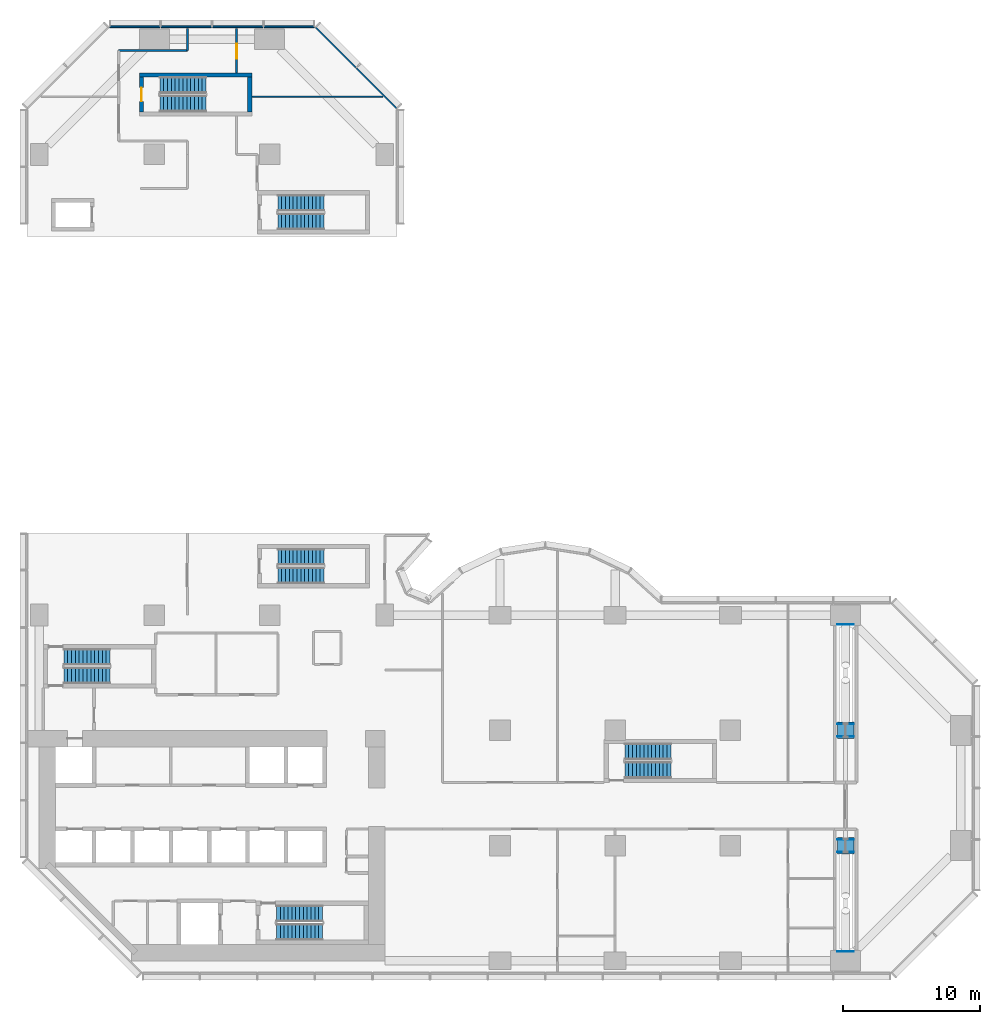
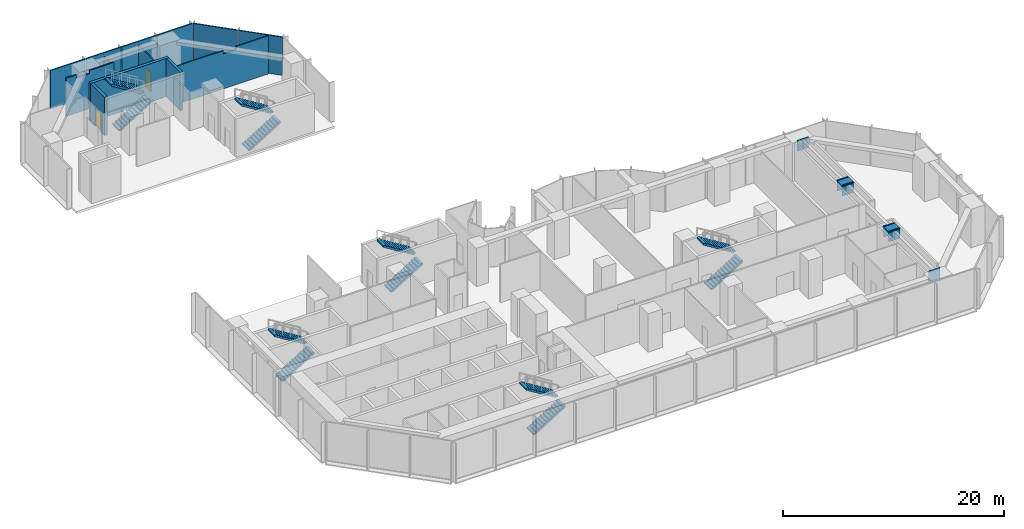
# One storey, part 15 of 18: 13 walls, 12 stair flights, 8 discrete accessories, 2 doors, 2 openings, 6 elements without a shape of their own.
"""IFC4 building model written with IfcOpenShell, lengths in metres."""

from ifc_helpers import new_model, si_unit, direction, frame, frame_2d, origin, origin_2d, place, context, subcontext, project, spatial, polyline, rectangle, outline, extrude, material, layer, layer_set, type_object, element, fill, aggregate, save


model = new_model("IFC4")

# Units and contexts
model_context = context("Model", 3, precision=1e-05, world=origin(), true_north=direction((0.0, 1.0)))
body_context = subcontext(model_context, "Body", "Model", "MODEL_VIEW")
ifc_project = project(units=[si_unit("LENGTHUNIT", "METRE"), si_unit("AREAUNIT", "SQUARE_METRE"), si_unit("VOLUMEUNIT", "CUBIC_METRE"), si_unit("PLANEANGLEUNIT", "RADIAN"), si_unit("MASSUNIT", "GRAM", prefix="KILO")], contexts=[model_context])

# Site, building, storey
site_placement = place(None, origin())
site = spatial("IfcSite", under=ifc_project, at=site_placement, CompositionType="ELEMENT")
building_placement = place(site_placement, origin())
building = spatial("IfcBuilding", under=site, at=building_placement, Name="Brevane Broadcast Tower", CompositionType="ELEMENT")
storey_placement = place(building_placement, frame((0.0, 0.0, 27.5)))
storey = spatial("IfcBuildingStorey", under=building, at=storey_placement, Name="L04", CompositionType="ELEMENT", Elevation=27.5)

# Wall
ifc_material_1 = material(Name="Concrete C80/95", Category="concrete")
ifc_layer_1 = layer(ifc_material_1, 0.300048828125)
ifc_layer_set_1 = layer_set([ifc_layer_1], Name="Core wall 300 mm C80/95")
wall_type_1 = type_object("IfcWallType", Name="Core wall 300 mm C80/95", PredefinedType="SHEAR", material=ifc_layer_set_1)
wall_1_placement = place(storey_placement, frame((7.300048828125, 64.60009765625, 0.0), z_axis=(0.0, 0.0, 1.0), x_axis=(1.0, 0.0, 0.0)))
element("IfcWall", 1, at=wall_1_placement, inside=storey, type_object=wall_type_1, Name="L04 stair wall ST-6-N", PredefinedType="SHEAR", context=body_context, shape_type="SweptSolid", body=[
    extrude(rectangle(XDim=8.199951171875, YDim=0.300048828125, at=frame_2d((4.10009765625, 0.0))), origin(), (0.0, 0.0, 1.0), 4.25),
])

# Wall, opening, door
wall_2_placement = place(storey_placement, frame((7.449951171875, 61.89990234375, 0.0), z_axis=(0.0, 0.0, 1.0), x_axis=(0.0, 1.0, 0.0)))
wall_2 = element("IfcWall", 2, at=wall_2_placement, inside=storey, type_object=wall_type_1, Name="L04 stair wall ST-6-W", PredefinedType="SHEAR", context=body_context, shape_type="SweptSolid", body=[
    extrude(rectangle(XDim=2.550048828125, YDim=0.300048828125, at=frame_2d((1.27490234375, 0.0))), origin(), (0.0, 0.0, 1.0), 4.25),
])
opening_1_placement = place(wall_2_placement, frame((0.77490234375, 0.0, 0.0)))
opening_1 = element("IfcOpeningElement", 3, at=opening_1_placement, cuts=wall_2, Name="Opening L04-K18", PredefinedType="OPENING", context=body_context, shape_type="SweptSolid", body=[
    extrude(rectangle(XDim=1.0, YDim=2.10009765625, at=frame_2d((0.5, 1.050048828125))), frame((0.0, 0.159912109375, 0.0), z_axis=(0.0, -1.0, 0.0), x_axis=(1.0, 0.0, 0.0)), (0.0, 0.0, 1.0), 0.320068359375),
])
ifc_material_2 = material(Name="Steel", Category="steel")
door_type_1 = type_object("IfcDoorType", Name="Stair door 1000 x 2100", OperationType="SINGLE_SWING_LEFT", PredefinedType="DOOR", material=ifc_material_2)
door_1_placement = place(opening_1_placement, origin())
door_1 = element("IfcDoor", 4, at=door_1_placement, inside=storey, type_object=door_type_1, Name="Door L04-K18", OperationType="SINGLE_SWING_RIGHT", OverallHeight=2.10009765625, OverallWidth=1.0, PredefinedType="DOOR", context=body_context, shape_type="SweptSolid", body=[
    extrude(rectangle(XDim=1.0, YDim=2.10009765625, at=frame_2d((0.5, 1.050048828125))), frame((0.0, 0.02490234375, 0.0), z_axis=(0.0, -1.0, 0.0), x_axis=(1.0, 0.0, 0.0)), (0.0, 0.0, 1.0), 0.050048828125),
])
fill(opening_1, door_1)

# Walls
wall_3_placement = place(storey_placement, frame((15.35009765625, 61.89990234375, 0.0), z_axis=(0.0, 0.0, 1.0), x_axis=(0.0, 1.0, 0.0)))
element("IfcWall", 5, at=wall_3_placement, inside=storey, type_object=wall_type_1, Name="L04 stair wall ST-6-E", PredefinedType="SHEAR", context=body_context, shape_type="SweptSolid", body=[
    extrude(rectangle(XDim=2.550048828125, YDim=0.300048828125, at=frame_2d((1.27490234375, 0.0))), origin(), (0.0, 0.0, 1.0), 4.25),
])
ifc_material_3 = material(Name="Gypsum board partition")
ifc_layer_2 = layer(ifc_material_3, 0.10009765625)
ifc_layer_set_2 = layer_set([ifc_layer_2], Name="PARTITION 100 STUD")
wall_type_2 = type_object("IfcWallType", Name="PARTITION 100 STUD", PredefinedType="PARTITIONING", material=ifc_layer_set_2)
wall_4_placement = place(storey_placement, frame((15.5, 63.0, 0.0), z_axis=(0.0, 0.0, 1.0), x_axis=(1.0, 0.0, 0.0)))
element("IfcWall", 6, at=wall_4_placement, inside=storey, type_object=wall_type_2, Name="Partition P4-053", PredefinedType="PARTITIONING", context=body_context, shape_type="SweptSolid", body=[
    extrude(outline(polyline([(0.0, 0.0), (9.5556640625, 0.0), (9.5556640625, 4.22998046875), (6.165771484375, 4.22998046875), (6.16357421875, 3.8798828125), (4.83642578125, 3.8798828125), (4.834228515625, 4.22998046875), (0.0, 4.22998046875), (0.0, 0.0)])), frame((0.0, 0.050048828125, 0.0), z_axis=(0.0, -1.0, 0.0), x_axis=(1.0, 0.0, 0.0)), (0.0, 0.0, 1.0), 0.10009765625),
])
ifc_layer_3 = layer(ifc_material_3, 0.14990234375)
ifc_layer_set_3 = layer_set([ifc_layer_3], Name="PARTITION 150 EI 60")
wall_type_3 = type_object("IfcWallType", Name="PARTITION 150 EI 60", PredefinedType="PARTITIONING", material=ifc_layer_set_3)
wall_5_placement = place(storey_placement, frame((5.800048828125, 66.375, 0.0), z_axis=(0.0, 0.0, 1.0), x_axis=(1.0, 0.0, 0.0)))
element("IfcWall", 7, at=wall_5_placement, inside=storey, type_object=wall_type_3, Name="Partition P4-047", PredefinedType="PARTITIONING", context=body_context, shape_type="SweptSolid", body=[
    extrude(outline(polyline([(0.0, 0.0), (5.0, 0.0), (5.0, 4.22998046875), (2.465576171875, 4.22998046875), (2.463623046875, 3.8798828125), (1.08642578125, 3.8798828125), (1.084228515625, 4.22998046875), (0.0, 4.22998046875), (0.0, 0.0)])), frame((0.0, 0.074951171875, 0.0), z_axis=(0.0, -1.0, 0.0), x_axis=(1.0, 0.0, 0.0)), (0.0, 0.0, 1.0), 0.14990234375),
])
wall_6_placement = place(storey_placement, frame((10.800048828125, 66.375, 0.0), z_axis=(0.0, 0.0, 1.0), x_axis=(0.0, 1.0, 0.0)))
element("IfcWall", 8, at=wall_6_placement, inside=storey, type_object=wall_type_3, Name="Partition P4-049", PredefinedType="PARTITIONING", context=body_context, shape_type="SweptSolid", body=[
    extrude(rectangle(XDim=1.597900390625, YDim=0.14990234375, at=frame_2d((0.798828125, 0.0))), origin(), (0.0, 0.0, 1.0), 3.8798828125),
])

# Wall, opening, door
wall_7_placement = place(storey_placement, frame((14.39990234375, 67.972900390625, 0.0), z_axis=(0.0, 0.0, 1.0), x_axis=(0.0, -1.0, 0.0)))
wall_7 = element("IfcWall", 9, at=wall_7_placement, inside=storey, type_object=wall_type_3, Name="Partition P4-050", PredefinedType="PARTITIONING", context=body_context, shape_type="SweptSolid", body=[
    extrude(rectangle(XDim=3.222900390625, YDim=0.14990234375, at=frame_2d((1.611328125, 0.0))), origin(), (0.0, 0.0, 1.0), 3.8798828125),
])
opening_2_placement = place(wall_7_placement, frame((1.093017578125, 0.0, 0.0)))
opening_2 = element("IfcOpeningElement", 10, at=opening_2_placement, cuts=wall_7, Name="Opening D05-017", PredefinedType="OPENING", context=body_context, shape_type="SweptSolid", body=[
    extrude(rectangle(XDim=1.10009765625, YDim=2.10009765625, at=frame_2d((0.550048828125, 1.050048828125))), frame((0.0, 0.0849609375, 0.0), z_axis=(0.0, -1.0, 0.0), x_axis=(1.0, 0.0, 0.0)), (0.0, 0.0, 1.0), 0.169921875),
])
ifc_material_4 = material(Name="Fire-rated timber door leaf", Category="wood")
door_type_2 = type_object("IfcDoorType", Name="DOOR SINGLE 1100 FD30S", OperationType="SINGLE_SWING_LEFT", PredefinedType="DOOR", material=ifc_material_4)
door_2_placement = place(opening_2_placement, origin())
door_2 = element("IfcDoor", 11, at=door_2_placement, inside=storey, type_object=door_type_2, Name="Door D05-017", OperationType="SINGLE_SWING_LEFT", OverallHeight=2.10009765625, OverallWidth=1.10009765625, PredefinedType="DOOR", context=body_context, shape_type="SweptSolid", body=[
    extrude(rectangle(XDim=1.10009765625, YDim=2.10009765625, at=frame_2d((0.550048828125, 1.050048828125))), frame((0.0, 0.02490234375, 0.0), z_axis=(0.0, -1.0, 0.0), x_axis=(1.0, 0.0, 0.0)), (0.0, 0.0, 1.0), 0.050048828125),
])
fill(opening_2, door_2)

# Walls
ifc_material_5 = material(Name="Precast concrete C40/50", Category="concrete")
ifc_layer_4 = layer(ifc_material_5, 0.1201171875)
ifc_layer_set_4 = layer_set([ifc_layer_4], Name="Podium precast cladding wall 120 C40/50")
wall_type_4 = type_object("IfcWallType", Name="Podium precast cladding wall 120 C40/50", PredefinedType="SOLIDWALL", material=ifc_layer_set_4)
wall_8_placement = place(storey_placement, origin())
element("IfcWall", 12, at=wall_8_placement, inside=storey, type_object=wall_type_4, Name="Podium precast cladding wall", PredefinedType="SOLIDWALL", context=body_context, shape_type="SweptSolid", body=[
    extrude(outline(polyline([(26.03271484375, 62.096435546875), (23.096435546875, 65.03271484375), (23.181396484375, 65.11767578125), (26.11767578125, 62.181396484375), (26.03271484375, 62.096435546875)])), origin(), (0.0, 0.0, 1.0), 4.25),
])
wall_9_placement = place(storey_placement, origin())
element("IfcWall", 13, at=wall_9_placement, inside=storey, type_object=wall_type_4, Name="Podium precast cladding wall", PredefinedType="SOLIDWALL", context=body_context, shape_type="SweptSolid", body=[
    extrude(outline(polyline([(23.03271484375, 65.096435546875), (20.096435546875, 68.03271484375), (20.181396484375, 68.11767578125), (23.11767578125, 65.181396484375), (23.03271484375, 65.096435546875)])), origin(), (0.0, 0.0, 1.0), 4.25),
])
wall_10_placement = place(storey_placement, origin())
element("IfcWall", 14, at=wall_10_placement, inside=storey, type_object=wall_type_4, Name="Podium precast cladding wall", PredefinedType="SOLIDWALL", context=body_context, shape_type="SweptSolid", body=[
    extrude(outline(polyline([(16.39501953125, 68.169921875), (16.39501953125, 68.050048828125), (20.054931640625, 68.050048828125), (20.054931640625, 68.169921875), (16.39501953125, 68.169921875)])), origin(), (0.0, 0.0, 1.0), 4.25),
])
wall_11_placement = place(storey_placement, origin())
element("IfcWall", 15, at=wall_11_placement, inside=storey, type_object=wall_type_4, Name="Podium precast cladding wall", PredefinedType="SOLIDWALL", context=body_context, shape_type="SweptSolid", body=[
    extrude(outline(polyline([(12.64501953125, 68.169921875), (12.64501953125, 68.050048828125), (16.304931640625, 68.050048828125), (16.304931640625, 68.169921875), (12.64501953125, 68.169921875)])), origin(), (0.0, 0.0, 1.0), 4.25),
])
wall_12_placement = place(storey_placement, origin())
element("IfcWall", 16, at=wall_12_placement, inside=storey, type_object=wall_type_4, Name="Podium precast cladding wall", PredefinedType="SOLIDWALL", context=body_context, shape_type="SweptSolid", body=[
    extrude(outline(polyline([(8.89501953125, 68.169921875), (8.89501953125, 68.050048828125), (12.554931640625, 68.050048828125), (12.554931640625, 68.169921875), (8.89501953125, 68.169921875)])), origin(), (0.0, 0.0, 1.0), 4.25),
])
wall_13_placement = place(storey_placement, origin())
element("IfcWall", 17, at=wall_13_placement, inside=storey, type_object=wall_type_4, Name="Podium precast cladding wall", PredefinedType="SOLIDWALL", context=body_context, shape_type="SweptSolid", body=[
    extrude(outline(polyline([(5.14501953125, 68.169921875), (5.14501953125, 68.050048828125), (8.804931640625, 68.050048828125), (8.804931640625, 68.169921875), (5.14501953125, 68.169921875)])), origin(), (0.0, 0.0, 1.0), 4.25),
])

# Stair, stair flights
ifc_material_6 = material(Name="Concrete C50/60", Category="concrete")
stair_type = type_object("IfcStairType", Name="Exit stair 26 risers", PredefinedType="HALF_TURN_STAIR", material=ifc_material_6)
stair_1_placement = place(storey_placement, origin())
stair_1 = element("IfcStair", 18, at=stair_1_placement, inside=storey, type_object=stair_type, Name="L04 Exit stair ST-1", PredefinedType="HALF_TURN_STAIR")
stair_flight_type = type_object("IfcStairFlightType", Name="Exit stair flight 26 risers", PredefinedType="STRAIGHT", material=ifc_material_6)
stair_flight_1_placement = place(storey_placement, frame((1.800048828125, 20.800048828125, 0.0), z_axis=(0.0, 0.0, 1.0), x_axis=(1.0, 0.0, 0.0)))
stair_flight_1 = element("IfcStairFlight", 19, at=stair_flight_1_placement, type_object=stair_flight_type, Name="ST-1 flight 1", NumberOfRisers=13, NumberOfTreads=12, PredefinedType="STRAIGHT", RiserHeight=0.173076923, TreadLength=0.28, context=body_context, shape_type="SweptSolid", body=[
    extrude(outline(polyline([(0.0, 0.0), (0.0, 0.173095703125), (0.280029296875, 0.173095703125), (0.280029296875, 0.34619140625), (0.56005859375, 0.34619140625), (0.56005859375, 0.519287109375), (0.840087890625, 0.519287109375), (0.840087890625, 0.6923828125), (1.1201171875, 0.6923828125), (1.1201171875, 0.865478515625), (1.39990234375, 0.865478515625), (1.39990234375, 1.03857421875), (1.679931640625, 1.03857421875), (1.679931640625, 1.21142578125), (1.9599609375, 1.21142578125), (1.9599609375, 1.384521484375), (2.239990234375, 1.384521484375), (2.239990234375, 1.5576171875), (2.52001953125, 1.5576171875), (2.52001953125, 1.730712890625), (2.800048828125, 1.730712890625), (2.800048828125, 1.90380859375), (3.080078125, 1.90380859375), (3.080078125, 2.076904296875), (3.360107421875, 2.076904296875), (3.360107421875, 2.25), (3.360107421875, 1.900634765625), (0.28515625, 0.0), (0.0, 0.0)])), frame((0.0, 0.60009765625, 0.0), z_axis=(0.0, -1.0, 0.0), x_axis=(1.0, 0.0, 0.0)), (0.0, 0.0, 1.0), 1.199951171875),
])
stair_flight_2_placement = place(storey_placement, frame((5.159912109375, 22.14990234375, 2.25), z_axis=(0.0, 0.0, 1.0), x_axis=(-1.0, 0.0, 0.0)))
stair_flight_2 = element("IfcStairFlight", 20, at=stair_flight_2_placement, type_object=stair_flight_type, Name="ST-1 flight 2", NumberOfRisers=13, NumberOfTreads=12, PredefinedType="STRAIGHT", RiserHeight=0.173076923, TreadLength=0.28, context=body_context, shape_type="SweptSolid", body=[
    extrude(outline(polyline([(0.0, 0.0), (0.0, 0.173095703125), (0.280029296875, 0.173095703125), (0.280029296875, 0.34619140625), (0.56005859375, 0.34619140625), (0.56005859375, 0.519287109375), (0.840087890625, 0.519287109375), (0.840087890625, 0.6923828125), (1.1201171875, 0.6923828125), (1.1201171875, 0.865478515625), (1.39990234375, 0.865478515625), (1.39990234375, 1.03857421875), (1.679931640625, 1.03857421875), (1.679931640625, 1.21142578125), (1.9599609375, 1.21142578125), (1.9599609375, 1.384521484375), (2.239990234375, 1.384521484375), (2.239990234375, 1.5576171875), (2.52001953125, 1.5576171875), (2.52001953125, 1.730712890625), (2.800048828125, 1.730712890625), (2.800048828125, 1.90380859375), (3.080078125, 1.90380859375), (3.080078125, 2.076904296875), (3.360107421875, 2.076904296875), (3.360107421875, 2.25), (3.360107421875, 1.900634765625), (0.28515625, 0.0), (0.0, 0.0)])), frame((0.0, 0.60009765625, 0.0), z_axis=(0.0, -1.0, 0.0), x_axis=(1.0, 0.0, 0.0)), (0.0, 0.0, 1.0), 1.199951171875),
])
aggregate(stair_1, [stair_flight_1, stair_flight_2])

stair_2_placement = place(storey_placement, origin())
stair_2 = element("IfcStair", 21, at=stair_2_placement, inside=storey, type_object=stair_type, Name="L04 Exit stair ST-2", PredefinedType="HALF_TURN_STAIR")
stair_flight_3_placement = place(storey_placement, frame((17.300048828125, 2.10009765625, 0.0), z_axis=(0.0, 0.0, 1.0), x_axis=(1.0, 0.0, 0.0)))
stair_flight_3 = element("IfcStairFlight", 22, at=stair_flight_3_placement, type_object=stair_flight_type, Name="ST-2 flight 1", NumberOfRisers=13, NumberOfTreads=12, PredefinedType="STRAIGHT", RiserHeight=0.173076923, TreadLength=0.28, context=body_context, shape_type="SweptSolid", body=[
    extrude(outline(polyline([(0.0, 0.0), (0.0, 0.173095703125), (0.280029296875, 0.173095703125), (0.280029296875, 0.34619140625), (0.56005859375, 0.34619140625), (0.56005859375, 0.519287109375), (0.840087890625, 0.519287109375), (0.840087890625, 0.6923828125), (1.1201171875, 0.6923828125), (1.1201171875, 0.865478515625), (1.39990234375, 0.865478515625), (1.39990234375, 1.03857421875), (1.679931640625, 1.03857421875), (1.679931640625, 1.21142578125), (1.9599609375, 1.21142578125), (1.9599609375, 1.384521484375), (2.239990234375, 1.384521484375), (2.239990234375, 1.5576171875), (2.52001953125, 1.5576171875), (2.52001953125, 1.730712890625), (2.800048828125, 1.730712890625), (2.800048828125, 1.90380859375), (3.080078125, 1.90380859375), (3.080078125, 2.076904296875), (3.360107421875, 2.076904296875), (3.360107421875, 2.25), (3.360107421875, 1.900634765625), (0.28515625, 0.0), (0.0, 0.0)])), frame((0.0, 0.60009765625, 0.0), z_axis=(0.0, -1.0, 0.0), x_axis=(1.0, 0.0, 0.0)), (0.0, 0.0, 1.0), 1.199951171875),
])
stair_flight_4_placement = place(storey_placement, frame((20.659912109375, 3.449951171875, 2.25), z_axis=(0.0, 0.0, 1.0), x_axis=(-1.0, 0.0, 0.0)))
stair_flight_4 = element("IfcStairFlight", 23, at=stair_flight_4_placement, type_object=stair_flight_type, Name="ST-2 flight 2", NumberOfRisers=13, NumberOfTreads=12, PredefinedType="STRAIGHT", RiserHeight=0.173076923, TreadLength=0.28, context=body_context, shape_type="SweptSolid", body=[
    extrude(outline(polyline([(0.0, 0.0), (0.0, 0.173095703125), (0.280029296875, 0.173095703125), (0.280029296875, 0.34619140625), (0.56005859375, 0.34619140625), (0.56005859375, 0.519287109375), (0.840087890625, 0.519287109375), (0.840087890625, 0.6923828125), (1.1201171875, 0.6923828125), (1.1201171875, 0.865478515625), (1.39990234375, 0.865478515625), (1.39990234375, 1.03857421875), (1.679931640625, 1.03857421875), (1.679931640625, 1.21142578125), (1.9599609375, 1.21142578125), (1.9599609375, 1.384521484375), (2.239990234375, 1.384521484375), (2.239990234375, 1.5576171875), (2.52001953125, 1.5576171875), (2.52001953125, 1.730712890625), (2.800048828125, 1.730712890625), (2.800048828125, 1.90380859375), (3.080078125, 1.90380859375), (3.080078125, 2.076904296875), (3.360107421875, 2.076904296875), (3.360107421875, 2.25), (3.360107421875, 1.900634765625), (0.28515625, 0.0), (0.0, 0.0)])), frame((0.0, 0.60009765625, 0.0), z_axis=(0.0, -1.0, 0.0), x_axis=(1.0, 0.0, 0.0)), (0.0, 0.0, 1.0), 1.199951171875),
])
aggregate(stair_2, [stair_flight_3, stair_flight_4])

stair_3_placement = place(storey_placement, origin())
stair_3 = element("IfcStair", 24, at=stair_3_placement, inside=storey, type_object=stair_type, Name="L04 Exit stair ST-3", PredefinedType="HALF_TURN_STAIR")
stair_flight_5_placement = place(storey_placement, frame((17.39990234375, 28.10009765625, 0.0), z_axis=(0.0, 0.0, 1.0), x_axis=(1.0, 0.0, 0.0)))
stair_flight_5 = element("IfcStairFlight", 25, at=stair_flight_5_placement, type_object=stair_flight_type, Name="ST-3 flight 1", NumberOfRisers=13, NumberOfTreads=12, PredefinedType="STRAIGHT", RiserHeight=0.173076923, TreadLength=0.28, context=body_context, shape_type="SweptSolid", body=[
    extrude(outline(polyline([(0.0, 0.0), (0.0, 0.173095703125), (0.280029296875, 0.173095703125), (0.280029296875, 0.34619140625), (0.56005859375, 0.34619140625), (0.56005859375, 0.519287109375), (0.840087890625, 0.519287109375), (0.840087890625, 0.6923828125), (1.1201171875, 0.6923828125), (1.1201171875, 0.865478515625), (1.39990234375, 0.865478515625), (1.39990234375, 1.03857421875), (1.679931640625, 1.03857421875), (1.679931640625, 1.21142578125), (1.9599609375, 1.21142578125), (1.9599609375, 1.384521484375), (2.239990234375, 1.384521484375), (2.239990234375, 1.5576171875), (2.52001953125, 1.5576171875), (2.52001953125, 1.730712890625), (2.800048828125, 1.730712890625), (2.800048828125, 1.90380859375), (3.080078125, 1.90380859375), (3.080078125, 2.076904296875), (3.360107421875, 2.076904296875), (3.360107421875, 2.25), (3.360107421875, 1.900634765625), (0.28515625, 0.0), (0.0, 0.0)])), frame((0.0, 0.60009765625, 0.0), z_axis=(0.0, -1.0, 0.0), x_axis=(1.0, 0.0, 0.0)), (0.0, 0.0, 1.0), 1.199951171875),
])
stair_flight_6_placement = place(storey_placement, frame((20.760009765625, 29.449951171875, 2.25), z_axis=(0.0, 0.0, 1.0), x_axis=(-1.0, 0.0, 0.0)))
stair_flight_6 = element("IfcStairFlight", 26, at=stair_flight_6_placement, type_object=stair_flight_type, Name="ST-3 flight 2", NumberOfRisers=13, NumberOfTreads=12, PredefinedType="STRAIGHT", RiserHeight=0.173076923, TreadLength=0.28, context=body_context, shape_type="SweptSolid", body=[
    extrude(outline(polyline([(0.0, 0.0), (0.0, 0.173095703125), (0.280029296875, 0.173095703125), (0.280029296875, 0.34619140625), (0.56005859375, 0.34619140625), (0.56005859375, 0.519287109375), (0.840087890625, 0.519287109375), (0.840087890625, 0.6923828125), (1.1201171875, 0.6923828125), (1.1201171875, 0.865478515625), (1.39990234375, 0.865478515625), (1.39990234375, 1.03857421875), (1.679931640625, 1.03857421875), (1.679931640625, 1.21142578125), (1.9599609375, 1.21142578125), (1.9599609375, 1.384521484375), (2.239990234375, 1.384521484375), (2.239990234375, 1.5576171875), (2.52001953125, 1.5576171875), (2.52001953125, 1.730712890625), (2.800048828125, 1.730712890625), (2.800048828125, 1.90380859375), (3.080078125, 1.90380859375), (3.080078125, 2.076904296875), (3.360107421875, 2.076904296875), (3.360107421875, 2.25), (3.360107421875, 1.900634765625), (0.28515625, 0.0), (0.0, 0.0)])), frame((0.0, 0.60009765625, 0.0), z_axis=(0.0, -1.0, 0.0), x_axis=(1.0, 0.0, 0.0)), (0.0, 0.0, 1.0), 1.199951171875),
])
aggregate(stair_3, [stair_flight_5, stair_flight_6])

stair_4_placement = place(storey_placement, origin())
stair_4 = element("IfcStair", 27, at=stair_4_placement, inside=storey, type_object=stair_type, Name="L04 Exit stair ST-4", PredefinedType="HALF_TURN_STAIR")
stair_flight_7_placement = place(storey_placement, frame((42.699951171875, 13.89990234375, 0.0), z_axis=(0.0, 0.0, 1.0), x_axis=(1.0, 0.0, 0.0)))
stair_flight_7 = element("IfcStairFlight", 28, at=stair_flight_7_placement, type_object=stair_flight_type, Name="ST-4 flight 1", NumberOfRisers=13, NumberOfTreads=12, PredefinedType="STRAIGHT", RiserHeight=0.173076923, TreadLength=0.28, context=body_context, shape_type="SweptSolid", body=[
    extrude(outline(polyline([(0.0, 0.0), (0.0, 0.173095703125), (0.280029296875, 0.173095703125), (0.280029296875, 0.34619140625), (0.56005859375, 0.34619140625), (0.56005859375, 0.519287109375), (0.840087890625, 0.519287109375), (0.840087890625, 0.6923828125), (1.1201171875, 0.6923828125), (1.1201171875, 0.865478515625), (1.39990234375, 0.865478515625), (1.39990234375, 1.03857421875), (1.679931640625, 1.03857421875), (1.679931640625, 1.21142578125), (1.9599609375, 1.21142578125), (1.9599609375, 1.384521484375), (2.239990234375, 1.384521484375), (2.239990234375, 1.5576171875), (2.52001953125, 1.5576171875), (2.52001953125, 1.730712890625), (2.800048828125, 1.730712890625), (2.800048828125, 1.90380859375), (3.080078125, 1.90380859375), (3.080078125, 2.076904296875), (3.360107421875, 2.076904296875), (3.360107421875, 2.25), (3.360107421875, 1.900634765625), (0.28515625, 0.0), (0.0, 0.0)])), frame((0.0, 0.60009765625, 0.0), z_axis=(0.0, -1.0, 0.0), x_axis=(1.0, 0.0, 0.0)), (0.0, 0.0, 1.0), 1.199951171875),
])
stair_flight_8_placement = place(storey_placement, frame((46.06005859375, 15.25, 2.25), z_axis=(0.0, 0.0, 1.0), x_axis=(-1.0, 0.0, 0.0)))
stair_flight_8 = element("IfcStairFlight", 29, at=stair_flight_8_placement, type_object=stair_flight_type, Name="ST-4 flight 2", NumberOfRisers=13, NumberOfTreads=12, PredefinedType="STRAIGHT", RiserHeight=0.173076923, TreadLength=0.28, context=body_context, shape_type="SweptSolid", body=[
    extrude(outline(polyline([(0.0, 0.0), (0.0, 0.173095703125), (0.280029296875, 0.173095703125), (0.280029296875, 0.34619140625), (0.56005859375, 0.34619140625), (0.56005859375, 0.519287109375), (0.840087890625, 0.519287109375), (0.840087890625, 0.6923828125), (1.1201171875, 0.6923828125), (1.1201171875, 0.865478515625), (1.39990234375, 0.865478515625), (1.39990234375, 1.03857421875), (1.679931640625, 1.03857421875), (1.679931640625, 1.21142578125), (1.9599609375, 1.21142578125), (1.9599609375, 1.384521484375), (2.239990234375, 1.384521484375), (2.239990234375, 1.5576171875), (2.52001953125, 1.5576171875), (2.52001953125, 1.730712890625), (2.800048828125, 1.730712890625), (2.800048828125, 1.90380859375), (3.080078125, 1.90380859375), (3.080078125, 2.076904296875), (3.360107421875, 2.076904296875), (3.360107421875, 2.25), (3.360107421875, 1.900634765625), (0.28515625, 0.0), (0.0, 0.0)])), frame((0.0, 0.60009765625, 0.0), z_axis=(0.0, -1.0, 0.0), x_axis=(1.0, 0.0, 0.0)), (0.0, 0.0, 1.0), 1.199951171875),
])
aggregate(stair_4, [stair_flight_7, stair_flight_8])

stair_5_placement = place(storey_placement, origin())
stair_5 = element("IfcStair", 30, at=stair_5_placement, inside=storey, type_object=stair_type, Name="L04 Exit stair ST-5", PredefinedType="HALF_TURN_STAIR")
stair_flight_9_placement = place(storey_placement, frame((17.39990234375, 53.89990234375, 0.0), z_axis=(0.0, 0.0, 1.0), x_axis=(1.0, 0.0, 0.0)))
stair_flight_9 = element("IfcStairFlight", 31, at=stair_flight_9_placement, type_object=stair_flight_type, Name="ST-5 flight 1", NumberOfRisers=13, NumberOfTreads=12, PredefinedType="STRAIGHT", RiserHeight=0.173076923, TreadLength=0.28, context=body_context, shape_type="SweptSolid", body=[
    extrude(outline(polyline([(0.0, 0.0), (0.0, 0.173095703125), (0.280029296875, 0.173095703125), (0.280029296875, 0.34619140625), (0.56005859375, 0.34619140625), (0.56005859375, 0.519287109375), (0.840087890625, 0.519287109375), (0.840087890625, 0.6923828125), (1.1201171875, 0.6923828125), (1.1201171875, 0.865478515625), (1.39990234375, 0.865478515625), (1.39990234375, 1.03857421875), (1.679931640625, 1.03857421875), (1.679931640625, 1.21142578125), (1.9599609375, 1.21142578125), (1.9599609375, 1.384521484375), (2.239990234375, 1.384521484375), (2.239990234375, 1.5576171875), (2.52001953125, 1.5576171875), (2.52001953125, 1.730712890625), (2.800048828125, 1.730712890625), (2.800048828125, 1.90380859375), (3.080078125, 1.90380859375), (3.080078125, 2.076904296875), (3.360107421875, 2.076904296875), (3.360107421875, 2.25), (3.360107421875, 1.900634765625), (0.28515625, 0.0), (0.0, 0.0)])), frame((0.0, 0.60009765625, 0.0), z_axis=(0.0, -1.0, 0.0), x_axis=(1.0, 0.0, 0.0)), (0.0, 0.0, 1.0), 1.199951171875),
])
stair_flight_10_placement = place(storey_placement, frame((20.760009765625, 55.25, 2.25), z_axis=(0.0, 0.0, 1.0), x_axis=(-1.0, 0.0, 0.0)))
stair_flight_10 = element("IfcStairFlight", 32, at=stair_flight_10_placement, type_object=stair_flight_type, Name="ST-5 flight 2", NumberOfRisers=13, NumberOfTreads=12, PredefinedType="STRAIGHT", RiserHeight=0.173076923, TreadLength=0.28, context=body_context, shape_type="SweptSolid", body=[
    extrude(outline(polyline([(0.0, 0.0), (0.0, 0.173095703125), (0.280029296875, 0.173095703125), (0.280029296875, 0.34619140625), (0.56005859375, 0.34619140625), (0.56005859375, 0.519287109375), (0.840087890625, 0.519287109375), (0.840087890625, 0.6923828125), (1.1201171875, 0.6923828125), (1.1201171875, 0.865478515625), (1.39990234375, 0.865478515625), (1.39990234375, 1.03857421875), (1.679931640625, 1.03857421875), (1.679931640625, 1.21142578125), (1.9599609375, 1.21142578125), (1.9599609375, 1.384521484375), (2.239990234375, 1.384521484375), (2.239990234375, 1.5576171875), (2.52001953125, 1.5576171875), (2.52001953125, 1.730712890625), (2.800048828125, 1.730712890625), (2.800048828125, 1.90380859375), (3.080078125, 1.90380859375), (3.080078125, 2.076904296875), (3.360107421875, 2.076904296875), (3.360107421875, 2.25), (3.360107421875, 1.900634765625), (0.28515625, 0.0), (0.0, 0.0)])), frame((0.0, 0.60009765625, 0.0), z_axis=(0.0, -1.0, 0.0), x_axis=(1.0, 0.0, 0.0)), (0.0, 0.0, 1.0), 1.199951171875),
])
aggregate(stair_5, [stair_flight_9, stair_flight_10])

stair_6_placement = place(storey_placement, origin())
stair_6 = element("IfcStair", 33, at=stair_6_placement, inside=storey, type_object=stair_type, Name="L04 Exit stair ST-6", PredefinedType="HALF_TURN_STAIR")
stair_flight_11_placement = place(storey_placement, frame((8.800048828125, 62.5, 0.0), z_axis=(0.0, 0.0, 1.0), x_axis=(1.0, 0.0, 0.0)))
stair_flight_11 = element("IfcStairFlight", 34, at=stair_flight_11_placement, type_object=stair_flight_type, Name="ST-6 flight 1", NumberOfRisers=13, NumberOfTreads=12, PredefinedType="STRAIGHT", RiserHeight=0.173076923, TreadLength=0.28, context=body_context, shape_type="SweptSolid", body=[
    extrude(outline(polyline([(0.0, 0.0), (0.0, 0.173095703125), (0.280029296875, 0.173095703125), (0.280029296875, 0.34619140625), (0.56005859375, 0.34619140625), (0.56005859375, 0.519287109375), (0.840087890625, 0.519287109375), (0.840087890625, 0.6923828125), (1.1201171875, 0.6923828125), (1.1201171875, 0.865478515625), (1.39990234375, 0.865478515625), (1.39990234375, 1.03857421875), (1.679931640625, 1.03857421875), (1.679931640625, 1.21142578125), (1.9599609375, 1.21142578125), (1.9599609375, 1.384521484375), (2.239990234375, 1.384521484375), (2.239990234375, 1.5576171875), (2.52001953125, 1.5576171875), (2.52001953125, 1.730712890625), (2.800048828125, 1.730712890625), (2.800048828125, 1.90380859375), (3.080078125, 1.90380859375), (3.080078125, 2.076904296875), (3.360107421875, 2.076904296875), (3.360107421875, 2.25), (3.360107421875, 1.900634765625), (0.28515625, 0.0), (0.0, 0.0)])), frame((0.0, 0.60009765625, 0.0), z_axis=(0.0, -1.0, 0.0), x_axis=(1.0, 0.0, 0.0)), (0.0, 0.0, 1.0), 1.199951171875),
])
stair_flight_12_placement = place(storey_placement, frame((12.159912109375, 63.85009765625, 2.25), z_axis=(0.0, 0.0, 1.0), x_axis=(-1.0, 0.0, 0.0)))
stair_flight_12 = element("IfcStairFlight", 35, at=stair_flight_12_placement, type_object=stair_flight_type, Name="ST-6 flight 2", NumberOfRisers=13, NumberOfTreads=12, PredefinedType="STRAIGHT", RiserHeight=0.173076923, TreadLength=0.28, context=body_context, shape_type="SweptSolid", body=[
    extrude(outline(polyline([(0.0, 0.0), (0.0, 0.173095703125), (0.280029296875, 0.173095703125), (0.280029296875, 0.34619140625), (0.56005859375, 0.34619140625), (0.56005859375, 0.519287109375), (0.840087890625, 0.519287109375), (0.840087890625, 0.6923828125), (1.1201171875, 0.6923828125), (1.1201171875, 0.865478515625), (1.39990234375, 0.865478515625), (1.39990234375, 1.03857421875), (1.679931640625, 1.03857421875), (1.679931640625, 1.21142578125), (1.9599609375, 1.21142578125), (1.9599609375, 1.384521484375), (2.239990234375, 1.384521484375), (2.239990234375, 1.5576171875), (2.52001953125, 1.5576171875), (2.52001953125, 1.730712890625), (2.800048828125, 1.730712890625), (2.800048828125, 1.90380859375), (3.080078125, 1.90380859375), (3.080078125, 2.076904296875), (3.360107421875, 2.076904296875), (3.360107421875, 2.25), (3.360107421875, 1.900634765625), (0.28515625, 0.0), (0.0, 0.0)])), frame((0.0, 0.60009765625, 0.0), z_axis=(0.0, -1.0, 0.0), x_axis=(1.0, 0.0, 0.0)), (0.0, 0.0, 1.0), 1.199951171875),
])
aggregate(stair_6, [stair_flight_11, stair_flight_12])

# Discrete accessories
ifc_material_7 = material(Name="Steel S355", Category="steel")
ifc_layer_5 = layer(ifc_material_7, 0.0400390625)
ifc_layer_set_5 = layer_set([ifc_layer_5], Name="Gusset plate 1200x1200x40 S355")
discrete_accessory_type = type_object("IfcDiscreteAccessoryType", Name="Gusset plate 1200x1200x40 S355", PredefinedType="ANCHORPLATE", material=ifc_layer_set_5)
for number, where, z_axis, x_axis, name in (
    (36, (58.800048828125, 0.659912109375, 3.75), (0.0, 1.0, 0.0), (-1.0, 0.0, 0.0), "Gusset plate GP4-156"),
    (37, (58.800048828125, 7.926025390625, 3.75), (0.0, 1.0, 0.0), (-1.0, 0.0, 0.0), "Gusset plate GP4-157"),
    (38, (58.800048828125, 8.833984375, 3.75), (0.0, 1.0, 0.0), (-1.0, 0.0, 0.0), "Gusset plate GP4-158"),
    (39, (58.800048828125, 16.325927734375, 3.75), (0.0, 1.0, 0.0), (-1.0, 0.0, 0.0), "Gusset plate GP4-159"),
    (40, (58.800048828125, 17.23388671875, 3.75), (0.0, 1.0, 0.0), (-1.0, 0.0, 0.0), "Gusset plate GP4-160"),
    (41, (58.800048828125, 24.5, 3.75), (0.0, 1.0, 0.0), (-1.0, 0.0, 0.0), "Gusset plate GP4-161"),
    (42, (58.800048828125, 8.39990234375, 4.25), (0.0, 0.0, 1.0), (1.0, 0.0, 0.0), "Gusset plate GP4-165"),
    (43, (58.800048828125, 16.800048828125, 4.25), (0.0, 0.0, 1.0), (1.0, 0.0, 0.0), "Gusset plate GP4-167"),
):
    element("IfcDiscreteAccessory", number, at=place(storey_placement, frame(where, z_axis=z_axis, x_axis=x_axis)), inside=storey, type_object=discrete_accessory_type, Name=name, PredefinedType="ANCHORPLATE", context=body_context, shape_type="SweptSolid", body=[
        extrude(rectangle(XDim=1.199951171875, YDim=1.199951171875, at=origin_2d()), origin(), (0.0, 0.0, 1.0), 0.0400390625),
    ])

save(model, "model.ifc")
